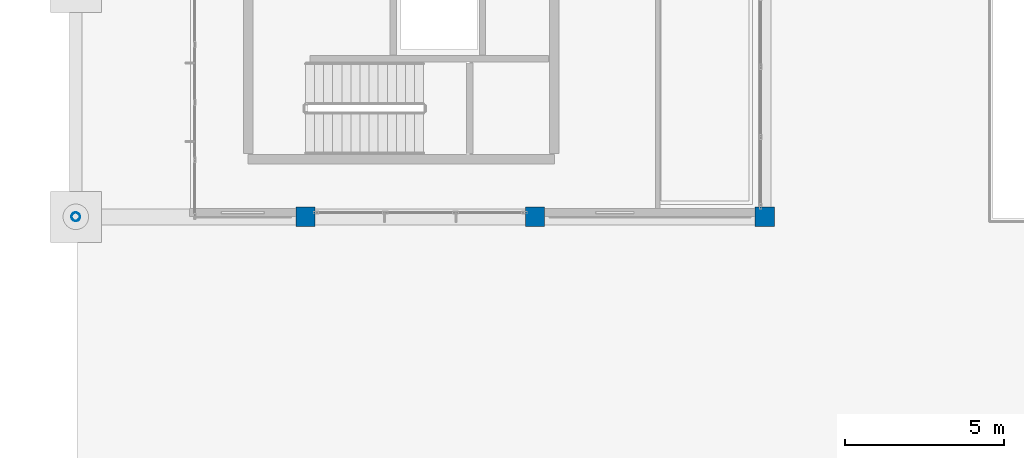
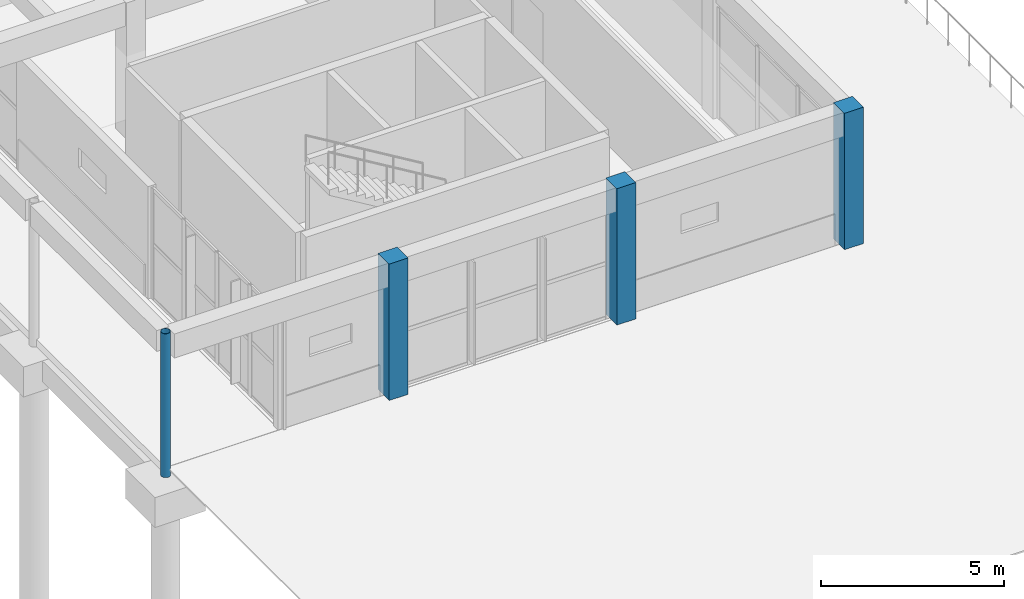
# One storey, part 5 of 155: 4 columns.
"""IFC4 building model written with IfcOpenShell, lengths in metres."""

from ifc_helpers import new_model, si_unit, direction, frame, origin, origin_2d, place, context, subcontext, project, spatial, rectangle, hollow_circle, extrude, material, material_profile, profile_set, type_object, element, save


model = new_model("IFC4")

# Units and contexts
model_context = context("Model", 3, precision=1e-05, world=origin(), true_north=direction((0.0, 1.0)))
body_context = subcontext(model_context, "Body", "Model", "MODEL_VIEW")
ifc_project = project(units=[si_unit("LENGTHUNIT", "METRE"), si_unit("AREAUNIT", "SQUARE_METRE"), si_unit("VOLUMEUNIT", "CUBIC_METRE"), si_unit("PLANEANGLEUNIT", "RADIAN"), si_unit("MASSUNIT", "GRAM", prefix="KILO")], contexts=[model_context])

# Site, building, storey
site_placement = place(None, origin())
site = spatial("IfcSite", under=ifc_project, at=site_placement, CompositionType="ELEMENT")
building_placement = place(site_placement, origin())
building = spatial("IfcBuilding", under=site, at=building_placement, Name="Bramvelor Terrace Health Centre", CompositionType="ELEMENT")
storey_placement = place(building_placement, origin())
storey = spatial("IfcBuildingStorey", under=building, at=storey_placement, Name="L01", CompositionType="ELEMENT", Elevation=0.0)

# Columns
ifc_material_1 = material(Name="Concrete C40/50", Category="concrete")
ifc_material_profile_1 = material_profile(ifc_material_1, rectangle(XDim=0.60009765625, YDim=0.60009765625, at=origin_2d()), Name="RC 600x600")
ifc_profile_set_1 = profile_set([ifc_material_profile_1], Name="Concrete C40/50")
column_type_1 = type_object("IfcColumnType", Name="COL-RC-600", PredefinedType="COLUMN", material=ifc_profile_set_1)
for number, where, z_axis, x_axis, name in (
    (1, (7.199951171875, 28.800048828125, 0.0), (0.0, 0.0, 1.0), (1.0, 0.0, 0.0), "L01 Column (7.2, 28.8)"),
    (2, (14.39990234375, 28.800048828125, 0.0), (0.0, 0.0, 1.0), (1.0, 0.0, 0.0), "L01 Column (14.4, 28.8)"),
    (3, (21.60009765625, 28.800048828125, 0.0), (0.0, 0.0, 1.0), (1.0, 0.0, 0.0), "L01 Column (21.6, 28.8)"),
):
    element("IfcColumn", number, at=place(storey_placement, frame(where, z_axis=z_axis, x_axis=x_axis)), inside=storey, type_object=column_type_1, Name=name, PredefinedType="COLUMN", context=body_context, shape_type="SweptSolid", body=[
        extrude(rectangle(XDim=0.60009765625, YDim=0.60009765625, at=origin_2d()), origin(), (0.0, 0.0, 1.0), 4.56005859375),
    ])
ifc_material_2 = material(Name="Steel S355J2", Category="steel")
ifc_material_profile_2 = material_profile(ifc_material_2, hollow_circle(Radius=0.136474609375, WallThickness=0.010009765625, at=origin_2d()), Name="CHS 273.0x10.0")
ifc_profile_set_2 = profile_set([ifc_material_profile_2], Name="Steel S355J2")
column_type_2 = type_object("IfcColumnType", Name="COL-STL-CHS273-EXT", PredefinedType="COLUMN", material=ifc_profile_set_2)
column_placement = place(storey_placement, frame((0.0, 28.800048828125, -0.25), z_axis=(0.0, 0.0, 1.0), x_axis=(1.0, 0.0, 0.0)))
element("IfcColumn", 4, at=column_placement, inside=storey, type_object=column_type_2, Name="L01 Column (0.0, 28.8)", PredefinedType="COLUMN", context=body_context, shape_type="SweptSolid", body=[
    extrude(hollow_circle(Radius=0.136474609375, WallThickness=0.010009765625, at=origin_2d()), origin(), (0.0, 0.0, 1.0), 4.81005859375),
])

save(model, "model.ifc")
